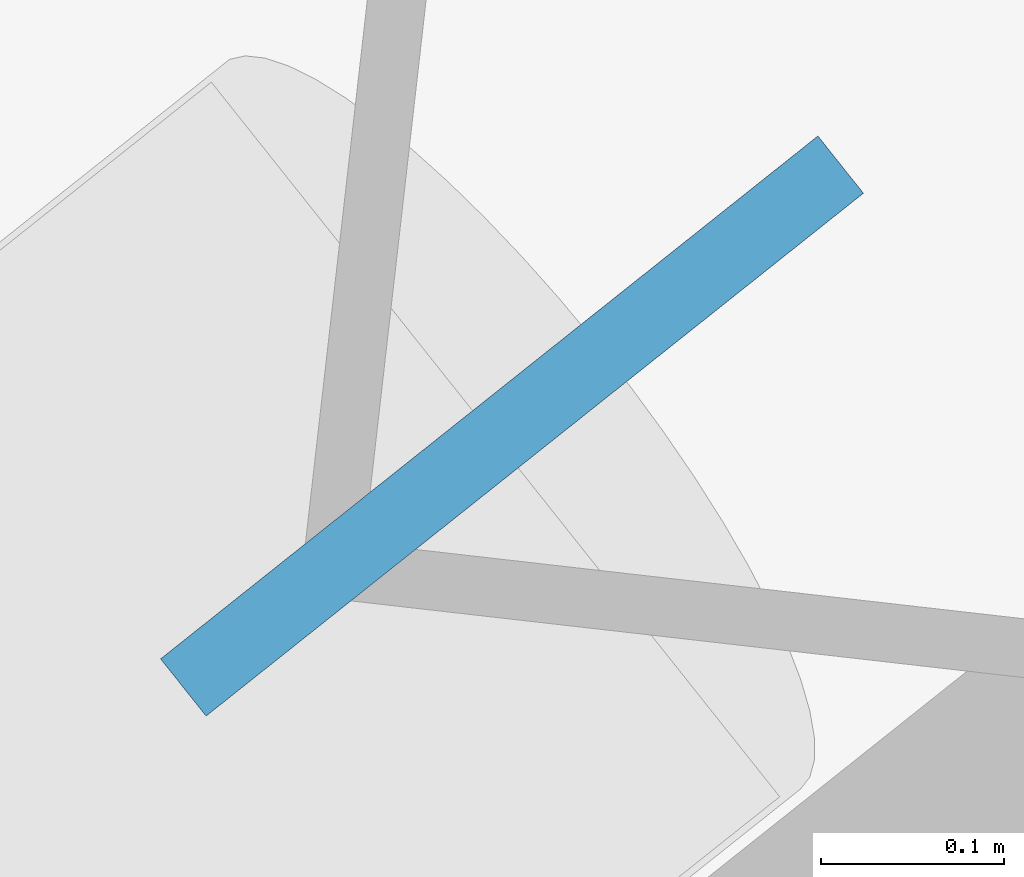
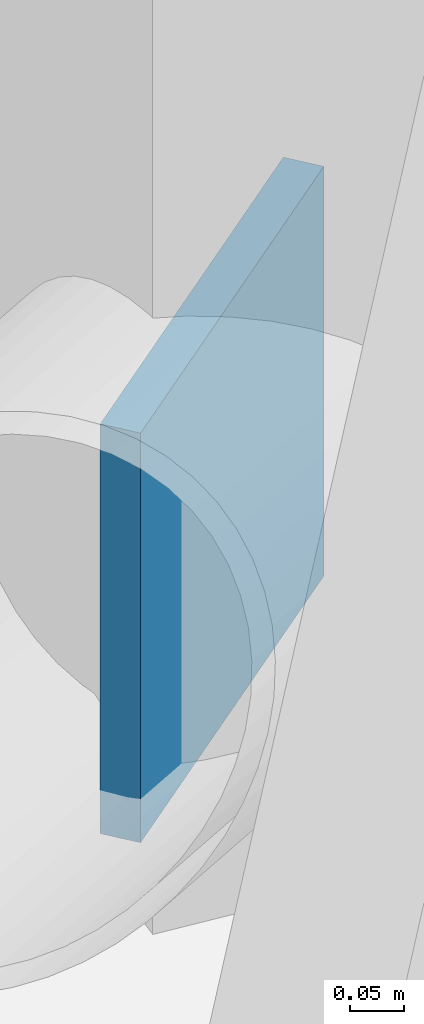
# One storey, part 16 of 19: 1 discrete accessory.
"""IFC4 building model written with IfcOpenShell, lengths in metres."""

from ifc_helpers import new_model, si_unit, direction, frame, origin, origin_2d, place, context, subcontext, project, spatial, rectangle, extrude, material, type_object, element, save


model = new_model("IFC4")

# Units and contexts
model_context = context("Model", 3, precision=1e-05, world=origin(), true_north=direction((0.0, 1.0)))
body_context = subcontext(model_context, "Body", "Model", "MODEL_VIEW")
ifc_project = project(units=[si_unit("LENGTHUNIT", "METRE"), si_unit("AREAUNIT", "SQUARE_METRE"), si_unit("VOLUMEUNIT", "CUBIC_METRE"), si_unit("PLANEANGLEUNIT", "RADIAN"), si_unit("MASSUNIT", "GRAM", prefix="KILO")], contexts=[model_context])

# Site, building, storey
site_placement = place(None, origin())
site = spatial("IfcSite", under=ifc_project, at=site_placement, CompositionType="ELEMENT")
building_placement = place(site_placement, origin())
building = spatial("IfcBuilding", under=site, at=building_placement, Name="Tavrogorsk Clinical Tower", CompositionType="ELEMENT")
storey_placement = place(building_placement, frame((0.0, 0.0, 141.39990234375)))
storey = spatial("IfcBuildingStorey", under=building, at=storey_placement, Name="L32", CompositionType="ELEMENT", Elevation=141.39990234375)

# Discrete accessory
ifc_material = material(Name="Structural steel S440", Category="steel")
discrete_accessory_type = type_object("IfcDiscreteAccessoryType", Name="GussetPlateBracket_25", PredefinedType="BRACKET", material=ifc_material)
discrete_accessory_placement = place(storey_placement, frame((-27.05419921875, 25.58544921875, 0.160888671875), z_axis=(0.0, 0.0, 1.0), x_axis=(-0.782608156852, -0.622514636638, 0.0)))
element("IfcDiscreteAccessory", 1, at=discrete_accessory_placement, inside=storey, type_object=discrete_accessory_type, Name="L32 Brace Gusset Plate EXOCRN-L32-3-A", PredefinedType="BRACKET", context=body_context, shape_type="SweptSolid", body=[
    extrude(rectangle(XDim=0.4599609375, YDim=0.0400390625, at=origin_2d()), origin(), (0.0, 0.0, 1.0), 0.4599609375),
])

save(model, "model.ifc")
